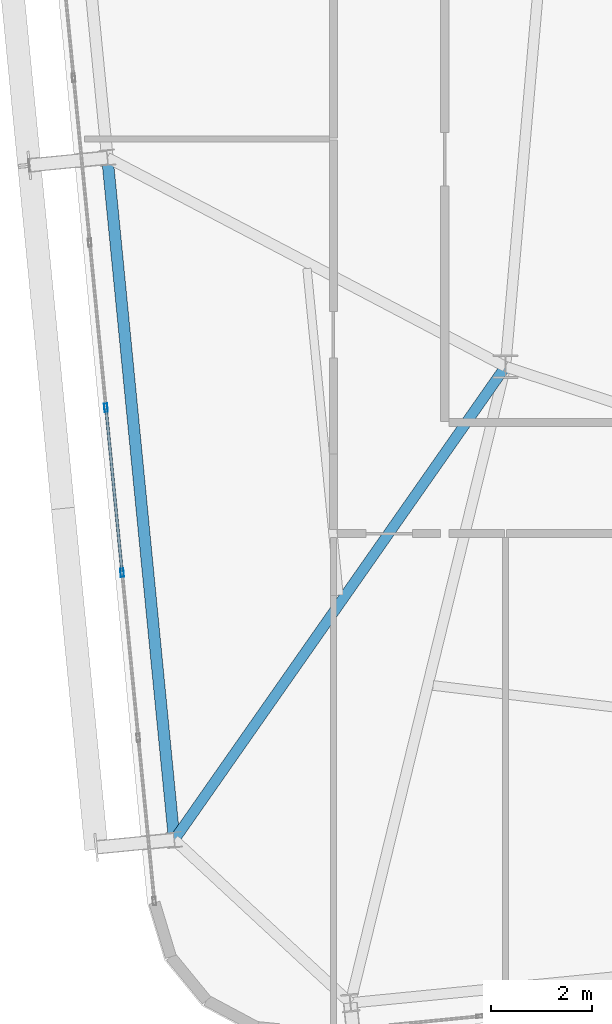
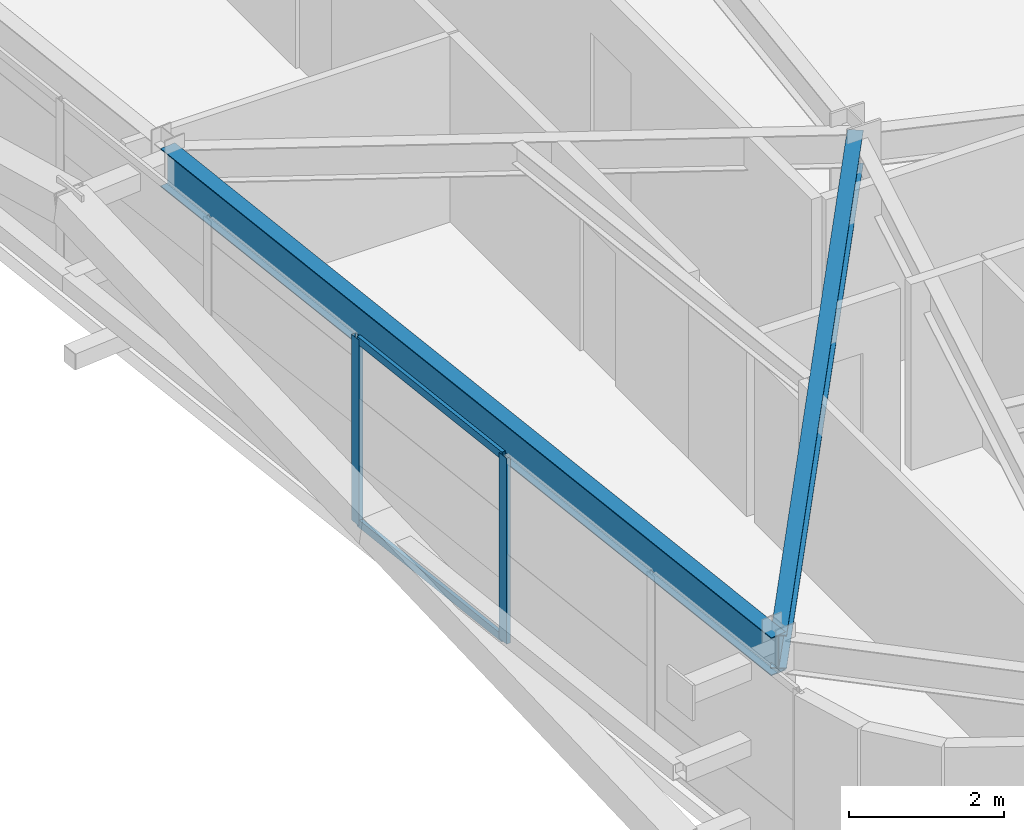
# One storey, part 8 of 52: 4 members, 2 beams, 1 element without a shape of its own.
"""IFC4 building model written with IfcOpenShell, lengths in metres."""

from ifc_helpers import new_model, si_unit, direction, frame, origin, origin_2d, place, context, subcontext, project, spatial, hollow_rectangle, i_section, extrude, source, transform, mapped, material, layer, layer_set, material_profile, profile_set, type_object, element, aggregate, save


model = new_model("IFC4")

# Units and contexts
model_context = context("Model", 3, precision=1e-05, world=origin(), true_north=direction((0.0, 1.0)))
body_context = subcontext(model_context, "Body", "Model", "MODEL_VIEW")
ifc_project = project(units=[si_unit("LENGTHUNIT", "METRE"), si_unit("AREAUNIT", "SQUARE_METRE"), si_unit("VOLUMEUNIT", "CUBIC_METRE"), si_unit("PLANEANGLEUNIT", "RADIAN"), si_unit("MASSUNIT", "GRAM", prefix="KILO")], contexts=[model_context])

# Site, building, storey
site_placement = place(None, origin())
site = spatial("IfcSite", under=ifc_project, at=site_placement, CompositionType="ELEMENT")
building_placement = place(site_placement, origin())
building = spatial("IfcBuilding", under=site, at=building_placement, Name="Taldren Reach Tower", CompositionType="ELEMENT")
storey_placement = place(building_placement, frame((0.0, 0.0, 93.449951171875)))
storey = spatial("IfcBuildingStorey", under=building, at=storey_placement, Name="L28", CompositionType="ELEMENT", Elevation=93.449951171875)

# Beams
ifc_material_1 = material(Name="Steel Gr 350 (350PLUS)", Category="steel")
ifc_material_profile_1 = material_profile(ifc_material_1, i_section(OverallWidth=0.22802734375, OverallDepth=0.60205078125, WebThickness=0.010498046875, FlangeThickness=0.014892578125, at=origin_2d()), Name="610UB101")
ifc_profile_set_1 = profile_set([ifc_material_profile_1], Name="Steel Gr 350 (350PLUS)")
beam_type_1 = type_object("IfcBeamType", Name="BM-UB610B", PredefinedType="BEAM", material=ifc_profile_set_1)
shared_shape_1 = source(origin(), body_context, "Body", "SweptSolid", [
    extrude(i_section(OverallWidth=0.22802734375, OverallDepth=0.60205078125, WebThickness=0.010498046875, FlangeThickness=0.014892578125, at=origin_2d()), origin(), (0.0, 0.0, 1.0), 13.550048828125),
])
beam_1_placement = place(storey_placement, frame((10.130615234375, 16.631103515625, 2.629150390625), z_axis=(0.097584021339, -0.995227290009, 0.0), x_axis=(0.995227290009, 0.097584021339, 0.0)))
element("IfcBeam", 1, at=beam_1_placement, inside=storey, type_object=beam_type_1, Name="Perimeter gable girder B2 W2-W1 L28", PredefinedType="BEAM", context=body_context, shape_type="MappedRepresentation", body=[
    mapped(shared_shape_1, transform((0.0, 0.0, 0.0), scale=1.0)),
])
ifc_material_profile_2 = material_profile(ifc_material_1, i_section(OverallWidth=0.208984375, OverallDepth=0.532958984375, WebThickness=0.01025390625, FlangeThickness=0.015625, at=origin_2d()), Name="530UB92.4")
ifc_profile_set_2 = profile_set([ifc_material_profile_2], Name="Steel Gr 350 (350PLUS)")
beam_type_2 = type_object("IfcBeamType", Name="BM-UB530A", PredefinedType="BEAM", material=ifc_profile_set_2)
shared_shape_2 = source(origin(), body_context, "Body", "SweptSolid", [
    extrude(i_section(OverallWidth=0.208984375, OverallDepth=0.532958984375, WebThickness=0.01025390625, FlangeThickness=0.015625, at=origin_2d()), origin(), (0.0, 0.0, 1.0), 11.417724609375),
])
beam_2_placement = place(storey_placement, frame((18.0, 12.5, 2.66357421875), z_axis=(-0.573412116146, -0.819267077977, 0.0), x_axis=(0.819267077977, -0.573412116146, 0.0)))
element("IfcBeam", 2, at=beam_2_placement, inside=storey, type_object=beam_type_2, Name="Primary floor girder B2-W1 L28", PredefinedType="BEAM", context=body_context, shape_type="MappedRepresentation", body=[
    mapped(shared_shape_2, transform((0.0, 0.0, 0.0), scale=1.0)),
])

# Curtain wall, members
ifc_material_2 = material(Name="Aluminium and Low-E Glass Unitised System", Category="aluminium")
ifc_layer = layer(ifc_material_2, 0.159912109375)
ifc_layer_set = layer_set([ifc_layer], Name="Aluminium and Low-E Glass Unitised System")
curtain_wall_type = type_object("IfcCurtainWallType", Name="CW-SYS-3", PredefinedType="NOTDEFINED", material=ifc_layer_set)
curtain_wall_placement = place(storey_placement, origin())
curtain_wall = element("IfcCurtainWall", 3, at=curtain_wall_placement, inside=storey, type_object=curtain_wall_type, Name="Unitised curtain wall CW-L28-W", PredefinedType="NOTDEFINED")
ifc_material_3 = material(Name="Anodised Aluminium 6063-T6", Category="aluminium")
ifc_material_profile_3 = material_profile(ifc_material_3, hollow_rectangle(XDim=0.06494140625, YDim=0.1650390625, WallThickness=0.00390625, at=origin_2d()), Name="ALU-165x65x4RHS")
ifc_profile_set_3 = profile_set([ifc_material_profile_3], Name="Anodised Aluminium 6063-T6")
member_type_1 = type_object("IfcMemberType", Name="CW-MUL-165", PredefinedType="MULLION", material=ifc_profile_set_3)
shared_shape_3 = source(origin(), body_context, "Body", "SweptSolid", [
    extrude(hollow_rectangle(XDim=0.06494140625, YDim=0.1650390625, WallThickness=0.00390625, at=origin_2d()), origin(), (0.0, 0.0, 1.0), 2.929931640625),
])
member_1_placement = place(storey_placement, frame((10.102783203125, 11.688232421875, 0.0), z_axis=(0.0, 0.0, 1.0), x_axis=(0.99522741555, 0.09758274098, 0.0)))
member_1 = element("IfcMember", 4, at=member_1_placement, type_object=member_type_1, Name="CW-3 mullion 7", PredefinedType="MULLION", context=body_context, shape_type="MappedRepresentation", body=[
    mapped(shared_shape_3, transform((0.0, 0.0, 0.0), scale=1.0)),
])
member_2_placement = place(storey_placement, frame((10.422607421875, 8.426025390625, 0.0), z_axis=(0.0, 0.0, 1.0), x_axis=(0.99522741555, 0.09758274098, 0.0)))
member_2 = element("IfcMember", 5, at=member_2_placement, type_object=member_type_1, Name="CW-3 mullion 8", PredefinedType="MULLION", context=body_context, shape_type="MappedRepresentation", body=[
    mapped(shared_shape_3, transform((0.0, 0.0, 0.0), scale=1.0)),
])
ifc_material_profile_4 = material_profile(ifc_material_3, hollow_rectangle(XDim=0.054931640625, YDim=0.1201171875, WallThickness=0.0029296875, at=origin_2d()), Name="ALU-120x55x3RHS")
ifc_profile_set_4 = profile_set([ifc_material_profile_4], Name="Anodised Aluminium 6063-T6")
member_type_2 = type_object("IfcMemberType", Name="CW-TRN-135", PredefinedType="USERDEFINED", material=ifc_profile_set_4)
shared_shape_4 = source(origin(), body_context, "Body", "SweptSolid", [
    extrude(hollow_rectangle(XDim=0.054931640625, YDim=0.1201171875, WallThickness=0.0029296875, at=origin_2d()), origin(), (0.0, 0.0, 1.0), 3.212890625),
])
member_3_placement = place(storey_placement, frame((10.10595703125, 11.65576171875, 0.027587890625), z_axis=(0.097569948235, -0.995228669805, 0.0), x_axis=(0.995228669805, 0.097569948235, 0.0)))
member_3 = element("IfcMember", 6, at=member_3_placement, type_object=member_type_2, Name="CW-3 transom 7.1", ObjectType="TRANSOM", PredefinedType="USERDEFINED", context=body_context, shape_type="MappedRepresentation", body=[
    mapped(shared_shape_4, transform((0.0, 0.0, 0.0), scale=1.0)),
])
member_4_placement = place(storey_placement, frame((10.10595703125, 11.65576171875, 2.902587890625), z_axis=(0.097569948235, -0.995228669805, 0.0), x_axis=(0.995228669805, 0.097569948235, 0.0)))
member_4 = element("IfcMember", 7, at=member_4_placement, type_object=member_type_2, Name="CW-3 transom 7.2", ObjectType="TRANSOM", PredefinedType="USERDEFINED", context=body_context, shape_type="MappedRepresentation", body=[
    mapped(shared_shape_4, transform((0.0, 0.0, 0.0), scale=1.0)),
])
aggregate(curtain_wall, [member_1, member_2, member_3, member_4])

save(model, "model.ifc")
